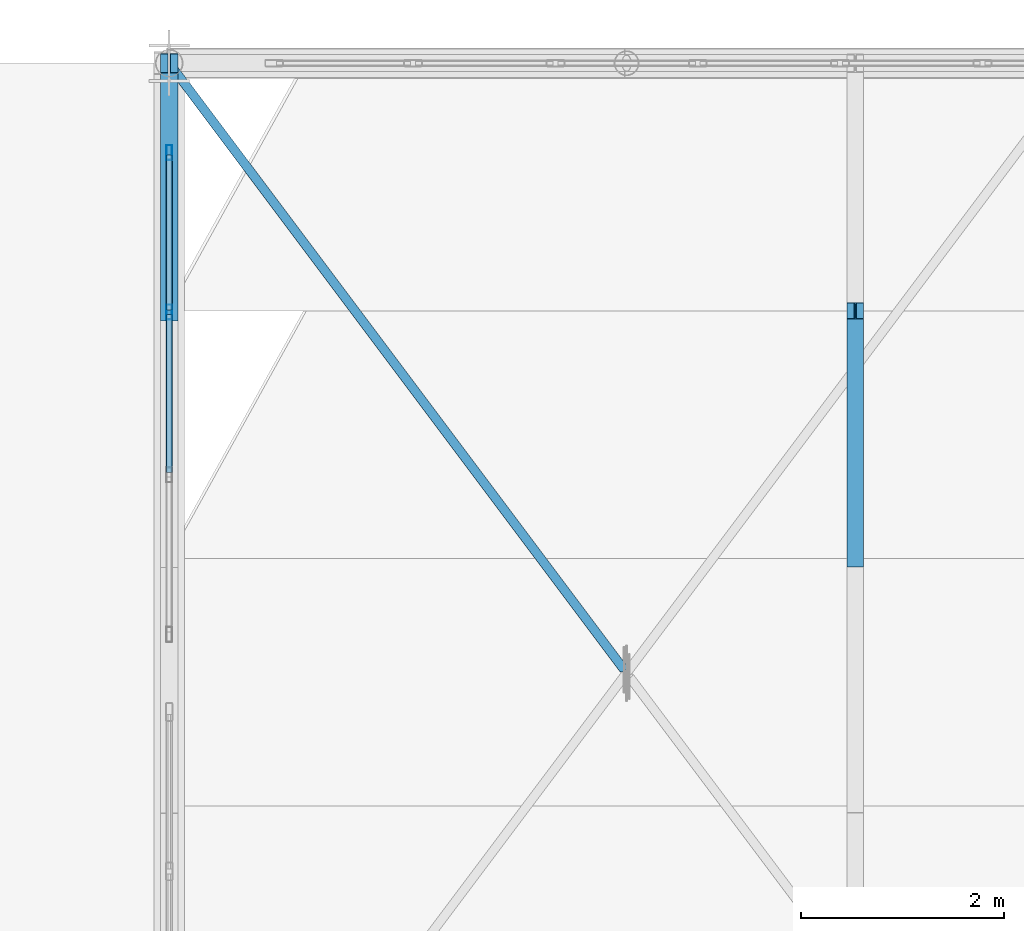
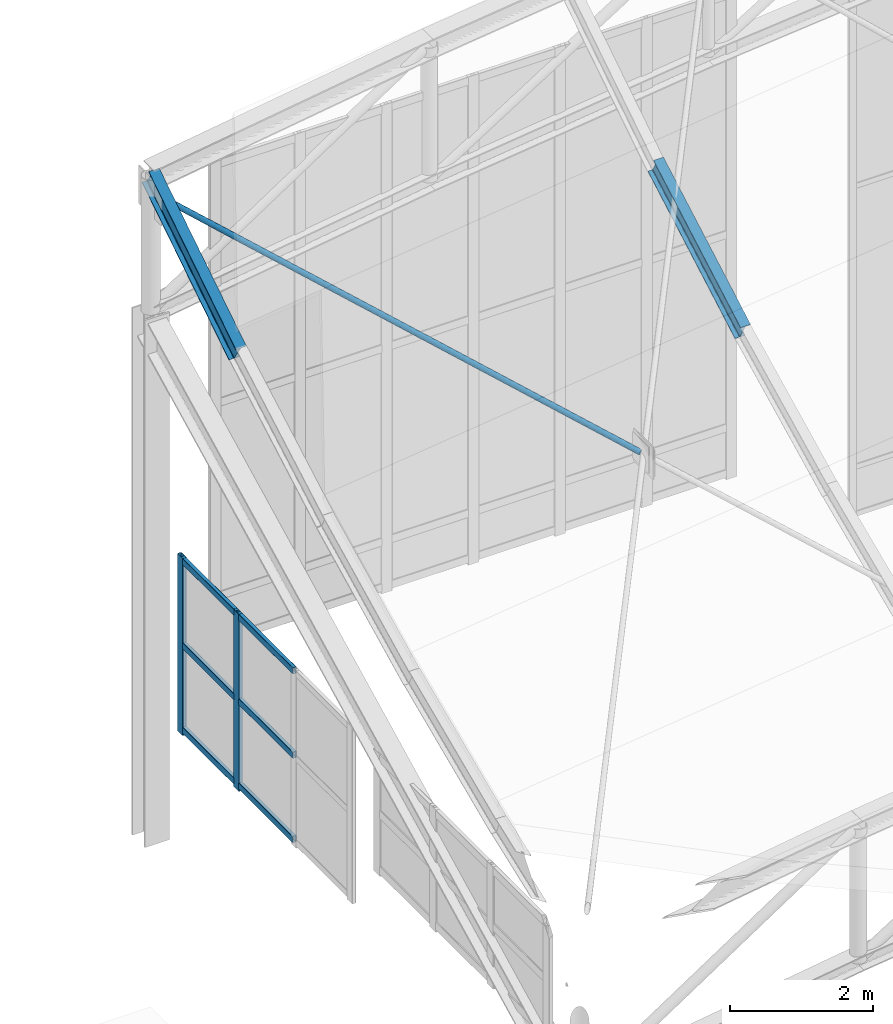
# One storey, part 186 of 262: 11 members, 1 element without a shape of its own.
"""IFC4 building model written with IfcOpenShell, lengths in metres."""

import ifcopenshell
import ifcopenshell.guid

model = None  # the IFC model being written
_history = None  # IfcOwnerHistory: only IFC2X3 demands one
_inside = {}  # id of a spatial element -> (the spatial element, [elements in it])
_under = {}  # id of a project, library or spatial element -> (it, [spatial elements below it])
_declared = {}  # id of a project -> (the project, [libraries it declares])
_typed = {}  # id of a type object -> (the type object, [elements of that type])
_made_of = {}  # id of a material, layer set ... -> (it, [elements and type objects made of it])


def new_model(schema):
    """Start an empty IFC model of exactly this schema.

    Asked for "IFC4X3", IfcOpenShell would pick the latest addendum, in which some entities
    have other attributes; the version numbers below select the first issue.
    IFC2X3 requires an IfcOwnerHistory on every rooted entity: one is made here for all.
    """
    global model, _history
    if schema == "IFC4X3":
        model = ifcopenshell.file(schema_version=(4, 3, 0, 0))
    else:
        model = ifcopenshell.file(schema=schema)
    _inside.clear()
    _under.clear()
    _declared.clear()
    _typed.clear()
    _made_of.clear()
    _history = None
    if model.schema == "IFC2X3":
        org = make("IfcOrganization", Name="unknown")
        user = make(
            "IfcPersonAndOrganization",
            ThePerson=make("IfcPerson", FamilyName="unknown"),
            TheOrganization=org,
        )
        app = make(
            "IfcApplication",
            ApplicationDeveloper=org,
            Version="unknown",
            ApplicationFullName="unknown",
            ApplicationIdentifier="unknown",
        )
        _history = make(
            "IfcOwnerHistory",
            OwningUser=user,
            OwningApplication=app,
            ChangeAction="ADDED",
            CreationDate=0,
        )
    return model


def make(cls, **values):
    """One entity of the class cls with the attributes given. An attribute that is None is left unset."""
    return model.create_entity(
        cls, **{name: value for name, value in values.items() if value is not None}
    )


def rooted(cls, **values):
    """An entity with a GlobalId (a new one), such as an element, a storey or a relation."""
    return make(cls, GlobalId=ifcopenshell.guid.new(), OwnerHistory=_history, **values)


def si_unit(unit_type, name, prefix=None):
    """IfcSIUnit, for example si_unit("LENGTHUNIT", "METRE", prefix="MILLI")."""
    return make("IfcSIUnit", UnitType=unit_type, Prefix=prefix, Name=name)


def derived_unit(unit_type, elements):
    """IfcDerivedUnit: a product of units, each with its exponent."""
    return make(
        "IfcDerivedUnit",
        Elements=[
            make("IfcDerivedUnitElement", Unit=unit, Exponent=power)
            for unit, power in elements
        ],
        UnitType=unit_type,
    )


def assignment(units):
    """IfcUnitAssignment: the units of a project."""
    return None if units is None else make("IfcUnitAssignment", Units=units)


def point(xyz):
    """IfcCartesianPoint."""
    return None if xyz is None else make("IfcCartesianPoint", Coordinates=xyz)


def direction(xyz):
    """IfcDirection."""
    return None if xyz is None else make("IfcDirection", DirectionRatios=xyz)


def frame(location, z_axis=None, x_axis=None):
    """IfcAxis2Placement3D, a coordinate frame: its origin and axes. An axis left out is left unset."""
    return make(
        "IfcAxis2Placement3D",
        Location=point(location),
        Axis=direction(z_axis),
        RefDirection=direction(x_axis),
    )


def frame_2d(location, x_axis=None):
    """IfcAxis2Placement2D, a coordinate frame in the plane: its origin and x axis."""
    return make(
        "IfcAxis2Placement2D", Location=point(location), RefDirection=direction(x_axis)
    )


def origin():
    """The frame at (0, 0, 0) with its axes left unset."""
    return frame((0.0, 0.0, 0.0))


def origin_2d():
    """The frame at (0, 0) in the plane with its x axis left unset."""
    return frame_2d((0.0, 0.0))


def place(relative_to, where):
    """IfcLocalPlacement: puts the frame where relative to a parent placement (None: the world)."""
    return make(
        "IfcLocalPlacement", PlacementRelTo=relative_to, RelativePlacement=where
    )


def context(
    kind, dimensions, precision=None, world=None, true_north=None, identifier=None
):
    """IfcGeometricRepresentationContext, for example the 3D "Model" context."""
    return make(
        "IfcGeometricRepresentationContext",
        ContextIdentifier=identifier,
        ContextType=kind,
        CoordinateSpaceDimension=dimensions,
        Precision=precision,
        WorldCoordinateSystem=world,
        TrueNorth=true_north,
    )


def subcontext(parent, identifier, kind, view, scale=None):
    """IfcGeometricRepresentationSubContext, for example "Body" below "Model"."""
    return make(
        "IfcGeometricRepresentationSubContext",
        ContextIdentifier=identifier,
        ContextType=kind,
        ParentContext=parent,
        TargetScale=scale,
        TargetView=view,
    )


def project(units=None, contexts=None):
    """IfcProject with its units and contexts."""
    return rooted(
        "IfcProject",
        Name="project",
        RepresentationContexts=contexts,
        UnitsInContext=assignment(units),
    )


def spatial(cls, under=None, at=None, **own):
    """A site, building, storey or space (cls), placed at a placement, below another one or the project."""
    s = rooted(cls, ObjectPlacement=at, **own)
    if under is not None:
        _under.setdefault(under.id(), (under, []))[1].append(s)
    return s


def profile(cls, at=None, kind="AREA", **sizes):
    """A parametric profile (cls). Its sizes go by their IFC names, for example OverallWidth=200.0."""
    return make(cls, ProfileType=kind, Position=at, **sizes)


def hollow_rectangle(**sizes):
    """IfcRectangleHollowProfileDef."""
    return profile("IfcRectangleHollowProfileDef", **sizes)


def hollow_circle(**sizes):
    """IfcCircleHollowProfileDef."""
    return profile("IfcCircleHollowProfileDef", **sizes)


def i_section(**sizes):
    """IfcIShapeProfileDef."""
    return profile("IfcIShapeProfileDef", **sizes)


def extrude(swept, where, along, depth):
    """IfcExtrudedAreaSolid: the profile swept, set in the frame where, extruded along a direction by depth."""
    return make(
        "IfcExtrudedAreaSolid",
        SweptArea=swept,
        Position=where,
        ExtrudedDirection=direction(along),
        Depth=depth,
    )


def shape(context_of_items, identifier, shape_type, items):
    """IfcShapeRepresentation: the items that make up one representation, for example the "Body"."""
    return make(
        "IfcShapeRepresentation",
        ContextOfItems=context_of_items,
        RepresentationIdentifier=identifier,
        RepresentationType=shape_type,
        Items=items,
    )


def material(Name=None, Category=None):
    """IfcMaterial."""
    return make("IfcMaterial", Name=Name, Category=Category)


def layer(
    of_material, thickness, ventilated=None, Name=None, Category=None, Priority=None
):
    """IfcMaterialLayer: one layer of a wall or slab, of a material (None: an air gap)."""
    return make(
        "IfcMaterialLayer",
        Material=of_material,
        LayerThickness=thickness,
        IsVentilated=ventilated,
        Name=Name,
        Category=Category,
        Priority=Priority,
    )


def layer_set(layers, Name=None):
    """IfcMaterialLayerSet."""
    return make("IfcMaterialLayerSet", MaterialLayers=layers, LayerSetName=Name)


def material_profile(
    of_material, cross_section, Name=None, Category=None, Priority=None
):
    """IfcMaterialProfile: a cross section and its material."""
    return make(
        "IfcMaterialProfile",
        Name=Name,
        Material=of_material,
        Profile=cross_section,
        Priority=Priority,
        Category=Category,
    )


def profile_set(profiles, Name=None, composite=None):
    """IfcMaterialProfileSet."""
    return make(
        "IfcMaterialProfileSet",
        Name=Name,
        MaterialProfiles=profiles,
        CompositeProfile=composite,
    )


def made_of(thing, what):
    """Note that an element or type object is made of a material, layer set ...; save() writes the relation."""
    if what is not None:
        _made_of.setdefault(what.id(), (what, []))[1].append(thing)
    return thing


def type_object(cls, material=None, **own):
    """A type object (cls), such as IfcWallType, which elements share."""
    return made_of(rooted(cls, **own), material)


def element(
    cls,
    number,
    at=None,
    inside=None,
    cuts=None,
    type_object=None,
    material=None,
    context=None,
    identifier="Body",
    shape_type=None,
    held_by="IfcProductDefinitionShape",
    body=None,
    shapes=None,
    **own,
):
    """One element of the class cls, such as IfcWall. Its Tag is "e" and its number.

    at: its placement. inside: the storey or other place that contains it. cuts: it is an
    opening in that element (IfcRelVoidsElement). A single representation is given by context,
    identifier, shape_type and body (its items); several are given by shapes. held_by: the class
    of the entity that holds the representations. save() writes the other relations.
    """
    e = rooted(cls, Tag="e%d" % number, ObjectPlacement=at, **own)
    if body is not None:
        shapes = [shape(context, identifier, shape_type, body)]
    if shapes is not None:
        e.Representation = make(held_by, Representations=shapes)
    if inside is not None:
        _inside.setdefault(inside.id(), (inside, []))[1].append(e)
    if cuts is not None:
        rooted(
            "IfcRelVoidsElement", RelatingBuildingElement=cuts, RelatedOpeningElement=e
        )
    if type_object is not None:
        _typed.setdefault(type_object.id(), (type_object, []))[1].append(e)
    return made_of(e, material)


def aggregate(whole, parts):
    """IfcRelAggregates: a whole, such as a stair, and the parts it consists of."""
    return rooted("IfcRelAggregates", RelatingObject=whole, RelatedObjects=parts)


def save(model, path):
    """Write the relations noted so far, then the file.

    IfcRelAggregates (storeys below a building ...), IfcRelContainedInSpatialStructure (elements
    in a storey), IfcRelDefinesByType, IfcRelAssociatesMaterial and IfcRelDeclares: one each for
    every whole, place, type object, material and project.
    """
    for whole, parts in _under.values():
        aggregate(whole, parts)
    for where, things in _inside.values():
        rooted(
            "IfcRelContainedInSpatialStructure",
            RelatedElements=things,
            RelatingStructure=where,
        )
    for kind, things in _typed.values():
        rooted("IfcRelDefinesByType", RelatedObjects=things, RelatingType=kind)
    for what, things in _made_of.values():
        rooted("IfcRelAssociatesMaterial", RelatedObjects=things, RelatingMaterial=what)
    for by, libraries in _declared.values():
        rooted("IfcRelDeclares", RelatingContext=by, RelatedDefinitions=libraries)
    model.write(path)


model = new_model("IFC4")

# Units and contexts
model_context = context("Model", 3, precision=1e-05, world=origin(), true_north=direction((0.0, 1.0)))
body_context = subcontext(model_context, "Body", "Model", "MODEL_VIEW")
ifc_project = project(units=[si_unit("LENGTHUNIT", "METRE"), si_unit("AREAUNIT", "SQUARE_METRE"), si_unit("VOLUMEUNIT", "CUBIC_METRE"), si_unit("PLANEANGLEUNIT", "RADIAN"), si_unit("MASSUNIT", "GRAM", prefix="KILO"), derived_unit("THERMALTRANSMITTANCEUNIT", [(si_unit("POWERUNIT", "WATT"), 1), (si_unit("LENGTHUNIT", "METRE"), -2), (si_unit("THERMODYNAMICTEMPERATUREUNIT", "KELVIN"), -1)])], contexts=[model_context])

# Site, building, storey
site_placement = place(None, origin())
site = spatial("IfcSite", under=ifc_project, at=site_placement, CompositionType="ELEMENT")
building_placement = place(site_placement, origin())
building = spatial("IfcBuilding", under=site, at=building_placement, Name="Almenara Railside Exhibition Hall", CompositionType="ELEMENT")
storey_placement = place(building_placement, frame((0.0, 0.0, 21.699951171875)))
storey = spatial("IfcBuildingStorey", under=building, at=storey_placement, Name="RF", CompositionType="ELEMENT", Elevation=21.699951171875)

# Member
ifc_material_1 = material(Name="Structural steel S355JR", Category="steel")
ifc_material_profile_1 = material_profile(ifc_material_1, hollow_circle(Radius=0.04443359375, WallThickness=0.00390625, at=origin_2d()), Name="CHS 88.9x4")
ifc_profile_set_1 = profile_set([ifc_material_profile_1], Name="Structural steel S355JR")
member_type_1 = type_object("IfcMemberType", Name="Canopy Tie Brace CHS 88.9x4 S355JR", PredefinedType="BRACE", material=ifc_profile_set_1)
member_1_placement = place(storey_placement, frame((16.472412109375, 126.036865234375, 6.216552734375), z_axis=(-0.571051132173, 0.761391118693, 0.306894393594), x_axis=(-0.799996069603, -0.600005240494, 0.0)))
element("IfcMember", 1, at=member_1_placement, inside=storey, type_object=member_type_1, Name="MEM-WB-V1-WB-CHS89-06-00-S2", PredefinedType="BRACE", context=body_context, shape_type="SweptSolid", body=[
    extrude(hollow_circle(Radius=0.04443359375, WallThickness=0.00390625, at=origin_2d()), origin(), (0.0, 0.0, 1.0), 7.831787109375),
])

# Curtain wall, members
ifc_material_2 = material(Name="Bronze-anodised aluminium and low-E double glazing", Category="aluminium")
ifc_layer = layer(ifc_material_2, 0.179931640625, Name="Bronze-anodised aluminium and low-E double glazing")
ifc_layer_set = layer_set([ifc_layer], Name="Bronze-anodised aluminium and low-E double glazing")
curtain_wall_type = type_object("IfcCurtainWallType", Name="West Hall Clerestory Curtain Wall 4200x2400", PredefinedType="NOTDEFINED", material=ifc_layer_set)
curtain_wall_placement = place(storey_placement, origin())
curtain_wall = element("IfcCurtainWall", 2, at=curtain_wall_placement, inside=storey, type_object=curtain_wall_type, Name="Curtain wall CW-CL1-193", PredefinedType="NOTDEFINED")
ifc_material_3 = material(Name="Bronze-anodised aluminium", Category="aluminium")
ifc_material_profile_2 = material_profile(ifc_material_3, hollow_rectangle(XDim=0.06005859375, YDim=0.14990234375, WallThickness=0.00341796875, InnerFilletRadius=0.00341796875, OuterFilletRadius=0.007080078125, at=origin_2d()), Name="ALU-MUL 60x150x3.5")
ifc_profile_set_2 = profile_set([ifc_material_profile_2], Name="Bronze-anodised aluminium")
member_type_2 = type_object("IfcMemberType", Name="Curtain Wall Mullion 60x150x3.5", PredefinedType="MULLION", material=ifc_profile_set_2)
member_2_placement = place(storey_placement, frame((12.0, 129.550048828125, -0.0849609375), z_axis=(0.0, 0.0, 1.0), x_axis=(-1.0, 0.0, 0.0)))
member_2 = element("IfcMember", 3, at=member_2_placement, type_object=member_type_2, Name="CW-CL1-193 mullion 3", PredefinedType="MULLION", context=body_context, shape_type="SweptSolid", body=[
    extrude(hollow_rectangle(XDim=0.06005859375, YDim=0.14990234375, WallThickness=0.00341796875, InnerFilletRadius=0.00341796875, OuterFilletRadius=0.007080078125, at=origin_2d()), origin(), (0.0, 0.0, 1.0), 3.02490234375),
])
member_3_placement = place(storey_placement, frame((12.0, 131.1201171875, -0.0849609375), z_axis=(0.0, 0.0, 1.0), x_axis=(-1.0, 0.0, 0.0)))
member_3 = element("IfcMember", 4, at=member_3_placement, type_object=member_type_2, Name="CW-CL1-193 mullion 4", PredefinedType="MULLION", context=body_context, shape_type="SweptSolid", body=[
    extrude(hollow_rectangle(XDim=0.06005859375, YDim=0.14990234375, WallThickness=0.00341796875, InnerFilletRadius=0.00341796875, OuterFilletRadius=0.007080078125, at=origin_2d()), origin(), (0.0, 0.0, 1.0), 3.02490234375),
])
ifc_material_profile_3 = material_profile(ifc_material_3, hollow_rectangle(XDim=0.06005859375, YDim=0.110107421875, WallThickness=0.0029296875, InnerFilletRadius=0.0029296875, OuterFilletRadius=0.006103515625, at=origin_2d()), Name="ALU-TRN 60x110x3")
ifc_profile_set_3 = profile_set([ifc_material_profile_3], Name="Bronze-anodised aluminium")
member_type_3 = type_object("IfcMemberType", Name="Curtain Wall Transom 60x110x3", PredefinedType="USERDEFINED", material=ifc_profile_set_3)
member_4_placement = place(storey_placement, frame((12.0, 127.971923828125, 0.005126953125), z_axis=(0.0, 1.0, 0.0), x_axis=(-1.0, 0.0, 0.0)))
member_4 = element("IfcMember", 5, at=member_4_placement, type_object=member_type_3, Name="CW-CL1-193 transom 2.1", ObjectType="TRANSOM", PredefinedType="USERDEFINED", context=body_context, shape_type="SweptSolid", body=[
    extrude(hollow_rectangle(XDim=0.06005859375, YDim=0.110107421875, WallThickness=0.0029296875, InnerFilletRadius=0.0029296875, OuterFilletRadius=0.006103515625, at=origin_2d()), origin(), (0.0, 0.0, 1.0), 1.55615234375),
])
member_5_placement = place(storey_placement, frame((12.0, 127.971923828125, 1.445068359375), z_axis=(0.0, 1.0, 0.0), x_axis=(-1.0, 0.0, 0.0)))
member_5 = element("IfcMember", 6, at=member_5_placement, type_object=member_type_3, Name="CW-CL1-193 transom 2.2", ObjectType="TRANSOM", PredefinedType="USERDEFINED", context=body_context, shape_type="SweptSolid", body=[
    extrude(hollow_rectangle(XDim=0.06005859375, YDim=0.110107421875, WallThickness=0.0029296875, InnerFilletRadius=0.0029296875, OuterFilletRadius=0.006103515625, at=origin_2d()), origin(), (0.0, 0.0, 1.0), 1.55615234375),
])
member_6_placement = place(storey_placement, frame((12.0, 127.971923828125, 2.885009765625), z_axis=(0.0, 1.0, 0.0), x_axis=(-1.0, 0.0, 0.0)))
member_6 = element("IfcMember", 7, at=member_6_placement, type_object=member_type_3, Name="CW-CL1-193 transom 2.3", ObjectType="TRANSOM", PredefinedType="USERDEFINED", context=body_context, shape_type="SweptSolid", body=[
    extrude(hollow_rectangle(XDim=0.06005859375, YDim=0.110107421875, WallThickness=0.0029296875, InnerFilletRadius=0.0029296875, OuterFilletRadius=0.006103515625, at=origin_2d()), origin(), (0.0, 0.0, 1.0), 1.55615234375),
])
member_7_placement = place(storey_placement, frame((12.0, 129.572021484375, 0.005126953125), z_axis=(0.0, 1.0, 0.0), x_axis=(-1.0, 0.0, 0.0)))
member_7 = element("IfcMember", 8, at=member_7_placement, type_object=member_type_3, Name="CW-CL1-193 transom 3.1", ObjectType="TRANSOM", PredefinedType="USERDEFINED", context=body_context, shape_type="SweptSolid", body=[
    extrude(hollow_rectangle(XDim=0.06005859375, YDim=0.110107421875, WallThickness=0.0029296875, InnerFilletRadius=0.0029296875, OuterFilletRadius=0.006103515625, at=origin_2d()), origin(), (0.0, 0.0, 1.0), 1.52587890625),
])
member_8_placement = place(storey_placement, frame((12.0, 129.572021484375, 1.445068359375), z_axis=(0.0, 1.0, 0.0), x_axis=(-1.0, 0.0, 0.0)))
member_8 = element("IfcMember", 9, at=member_8_placement, type_object=member_type_3, Name="CW-CL1-193 transom 3.2", ObjectType="TRANSOM", PredefinedType="USERDEFINED", context=body_context, shape_type="SweptSolid", body=[
    extrude(hollow_rectangle(XDim=0.06005859375, YDim=0.110107421875, WallThickness=0.0029296875, InnerFilletRadius=0.0029296875, OuterFilletRadius=0.006103515625, at=origin_2d()), origin(), (0.0, 0.0, 1.0), 1.52587890625),
])
member_9_placement = place(storey_placement, frame((12.0, 129.572021484375, 2.885009765625), z_axis=(0.0, 1.0, 0.0), x_axis=(-1.0, 0.0, 0.0)))
member_9 = element("IfcMember", 10, at=member_9_placement, type_object=member_type_3, Name="CW-CL1-193 transom 3.3", ObjectType="TRANSOM", PredefinedType="USERDEFINED", context=body_context, shape_type="SweptSolid", body=[
    extrude(hollow_rectangle(XDim=0.06005859375, YDim=0.110107421875, WallThickness=0.0029296875, InnerFilletRadius=0.0029296875, OuterFilletRadius=0.006103515625, at=origin_2d()), origin(), (0.0, 0.0, 1.0), 1.52587890625),
])
aggregate(curtain_wall, [member_2, member_3, member_4, member_5, member_6, member_7, member_8, member_9])

# Members
ifc_material_profile_4 = material_profile(ifc_material_1, i_section(OverallWidth=0.159912109375, OverallDepth=0.330078125, WebThickness=0.007568359375, FlangeThickness=0.011474609375, FilletRadius=0.01806640625, at=origin_2d()), Name="IPE 330")
ifc_profile_set_4 = profile_set([ifc_material_profile_4], Name="Structural steel S355JR")
member_type_4 = type_object("IfcMemberType", Name="Gable Bay Purlin IPE 330 S355JR", PredefinedType="PURLIN", material=ifc_profile_set_4)
member_10_placement = place(storey_placement, frame((18.75, 127.126708984375, 6.81982421875), z_axis=(0.0, 0.870445855666, 0.492264169277), x_axis=(-1.0, 0.0, 0.0)))
element("IfcMember", 11, at=member_10_placement, inside=storey, type_object=member_type_4, Name="MEM-PR-V1-PR-IPE330-01-26", PredefinedType="PURLIN", context=body_context, shape_type="SweptSolid", body=[
    extrude(i_section(OverallWidth=0.159912109375, OverallDepth=0.330078125, WebThickness=0.007568359375, FlangeThickness=0.011474609375, FilletRadius=0.01806640625, at=origin_2d()), origin(), (0.0, 0.0, 1.0), 2.799072265625),
])
ifc_material_profile_5 = material_profile(ifc_material_1, i_section(OverallWidth=0.169921875, OverallDepth=0.360107421875, WebThickness=0.008056640625, FlangeThickness=0.0126953125, FilletRadius=0.01806640625, at=origin_2d()), Name="IPE 360")
ifc_profile_set_5 = profile_set([ifc_material_profile_5], Name="Structural steel S355JR")
member_type_5 = type_object("IfcMemberType", Name="Long-Span Scroll Purlin IPE 360 S355JR", PredefinedType="PURLIN", material=ifc_profile_set_5)
member_11_placement = place(storey_placement, frame((12.0, 129.563232421875, 7.33740234375), z_axis=(0.0, 0.842226955435, 0.539123135785), x_axis=(-1.0, 0.0, 0.0)))
element("IfcMember", 12, at=member_11_placement, inside=storey, type_object=member_type_5, Name="MEM-PR-V1-PR-IPE360-00-27", PredefinedType="PURLIN", context=body_context, shape_type="SweptSolid", body=[
    extrude(i_section(OverallWidth=0.169921875, OverallDepth=0.360107421875, WebThickness=0.008056640625, FlangeThickness=0.0126953125, FilletRadius=0.01806640625, at=origin_2d()), origin(), (0.0, 0.0, 1.0), 2.893310546875),
])

save(model, "model.ifc")
